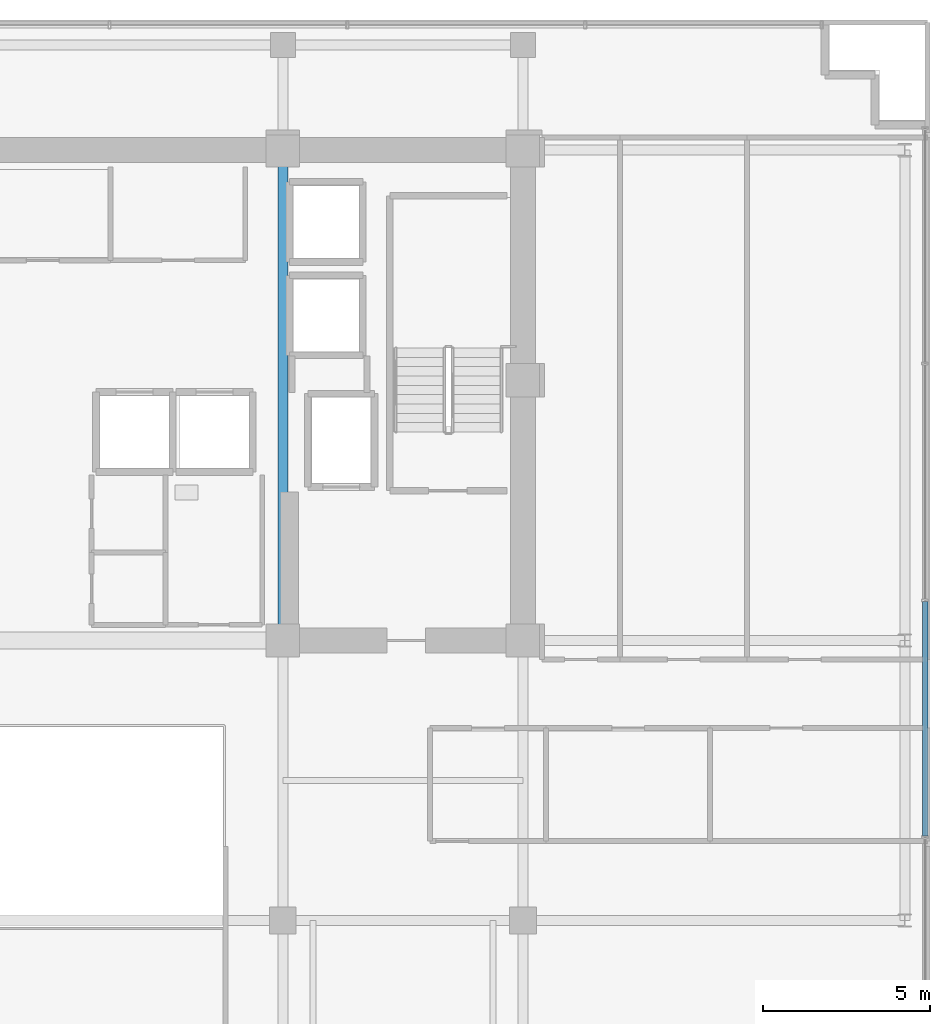
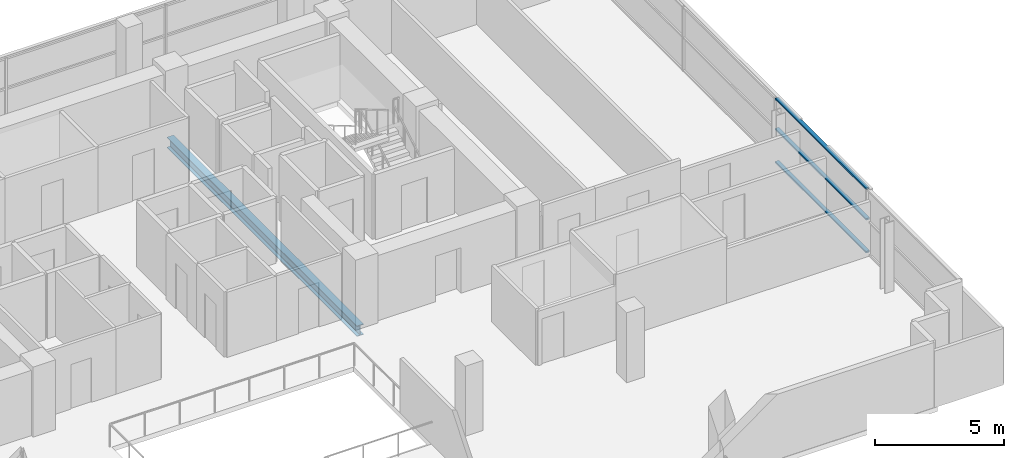
# One storey, part 8 of 22: 3 members, 1 beam, 1 element without a shape of its own.
"""IFC4 building model written with IfcOpenShell, lengths in metres."""

from ifc_helpers import new_model, si_unit, direction, frame, origin, origin_2d, place, context, subcontext, project, spatial, hollow_rectangle, i_section, extrude, source, transform, mapped, material, layer, layer_set, material_profile, profile_set, type_object, element, aggregate, save


model = new_model("IFC4")

# Units and contexts
model_context = context("Model", 3, precision=1e-05, world=origin(), true_north=direction((0.0, 1.0)))
body_context = subcontext(model_context, "Body", "Model", "MODEL_VIEW")
ifc_project = project(units=[si_unit("LENGTHUNIT", "METRE"), si_unit("AREAUNIT", "SQUARE_METRE"), si_unit("VOLUMEUNIT", "CUBIC_METRE"), si_unit("PLANEANGLEUNIT", "RADIAN"), si_unit("MASSUNIT", "GRAM", prefix="KILO")], contexts=[model_context])

# Site, building, storey
site_placement = place(None, origin())
site = spatial("IfcSite", under=ifc_project, at=site_placement, CompositionType="ELEMENT")
building_placement = place(site_placement, origin())
building = spatial("IfcBuilding", under=site, at=building_placement, Name="Zarnakvel Exchange Tower", CompositionType="ELEMENT")
storey_placement = place(building_placement, frame((0.0, 0.0, 192.39990234375)))
storey = spatial("IfcBuildingStorey", under=building, at=storey_placement, Name="L54", CompositionType="ELEMENT", Elevation=192.39990234375)

# Beam
ifc_material_1 = material(Name="Steel S355", Category="steel")
ifc_material_profile_1 = material_profile(ifc_material_1, i_section(OverallWidth=0.300048828125, OverallDepth=0.5, WebThickness=0.014404296875, FlangeThickness=0.028076171875, FilletRadius=0.027099609375, at=origin_2d()))
ifc_profile_set_1 = profile_set([ifc_material_profile_1], Name="Steel S355")
beam_type = type_object("IfcBeamType", Name="G-06", PredefinedType="BEAM", material=ifc_profile_set_1)
beam_placement = place(storey_placement, frame((7.199951171875, -1.199951171875, -0.474853515625), z_axis=(0.0, 1.0, 0.0), x_axis=(-1.0, 0.0, 0.0)))
element("IfcBeam", 1, at=beam_placement, inside=storey, type_object=beam_type, Name="L54 Tower N-S Frame Beam", PredefinedType="BEAM", context=body_context, shape_type="SweptSolid", body=[
    extrude(i_section(OverallWidth=0.300048828125, OverallDepth=0.5, WebThickness=0.014404296875, FlangeThickness=0.028076171875, FilletRadius=0.027099609375, at=origin_2d()), origin(), (0.0, 0.0, 1.0), 14.699951171875),
])

# Curtain wall, members
ifc_material_2 = material(Name="Architectural Bronze Anodised Aluminium", Category="aluminium")
ifc_layer = layer(ifc_material_2, 0.199951171875)
ifc_layer_set = layer_set([ifc_layer], Name="Architectural Bronze Anodised Aluminium")
curtain_wall_type = type_object("IfcCurtainWallType", Name="CW-04", PredefinedType="NOTDEFINED", material=ifc_layer_set)
curtain_wall_placement = place(storey_placement, origin())
curtain_wall = element("IfcCurtainWall", 2, at=curtain_wall_placement, inside=storey, type_object=curtain_wall_type, Name="L54 Curtain Wall CW-L54-E1 (CW-04)", PredefinedType="NOTDEFINED")
ifc_material_profile_2 = material_profile(ifc_material_2, hollow_rectangle(XDim=0.159912109375, YDim=0.074951171875, WallThickness=0.00390625, at=origin_2d()))
ifc_profile_set_2 = profile_set([ifc_material_profile_2], Name="Architectural Bronze Anodised Aluminium")
member_type = type_object("IfcMemberType", Name="CWT-04", PredefinedType="USERDEFINED", material=ifc_profile_set_2)
shared_shape = source(origin(), body_context, "Body", "SweptSolid", [
    extrude(hollow_rectangle(XDim=0.159912109375, YDim=0.074951171875, WallThickness=0.00390625, at=origin_2d()), origin(), (0.0, 0.0, 1.0), 7.02490234375),
])
member_1_placement = place(storey_placement, frame((26.4599609375, -7.0625, 0.03759765625), z_axis=(0.0, 1.0, 0.0), x_axis=(-1.0, 0.0, 0.0)))
member_1 = element("IfcMember", 3, at=member_1_placement, type_object=member_type, Name="CW-04 transom 2.1", ObjectType="TRANSOM", PredefinedType="USERDEFINED", context=body_context, shape_type="MappedRepresentation", body=[
    mapped(shared_shape, transform((0.0, 0.0, 0.0), x_axis=(1.0, 0.0, 0.0), y_axis=(0.0, 1.0, 0.0), z_axis=(0.0, 0.0, 1.0), scale=1.0)),
])
member_2_placement = place(storey_placement, frame((26.4599609375, -7.0625, 1.588623046875), z_axis=(0.0, 1.0, 0.0), x_axis=(-1.0, 0.0, 0.0)))
member_2 = element("IfcMember", 4, at=member_2_placement, type_object=member_type, Name="CW-04 transom 2.2", ObjectType="TRANSOM", PredefinedType="USERDEFINED", context=body_context, shape_type="MappedRepresentation", body=[
    mapped(shared_shape, transform((0.0, 0.0, 0.0), x_axis=(1.0, 0.0, 0.0), y_axis=(0.0, 1.0, 0.0), z_axis=(0.0, 0.0, 1.0), scale=1.0)),
])
member_3_placement = place(storey_placement, frame((26.4599609375, -7.0625, 3.017578125), z_axis=(0.0, 1.0, 0.0), x_axis=(-1.0, 0.0, 0.0)))
member_3 = element("IfcMember", 5, at=member_3_placement, type_object=member_type, Name="CW-04 transom 2.3", ObjectType="TRANSOM", PredefinedType="USERDEFINED", context=body_context, shape_type="MappedRepresentation", body=[
    mapped(shared_shape, transform((0.0, 0.0, 0.0), x_axis=(1.0, 0.0, 0.0), y_axis=(0.0, 1.0, 0.0), z_axis=(0.0, 0.0, 1.0), scale=1.0)),
])
aggregate(curtain_wall, [member_1, member_2, member_3])

save(model, "model.ifc")
